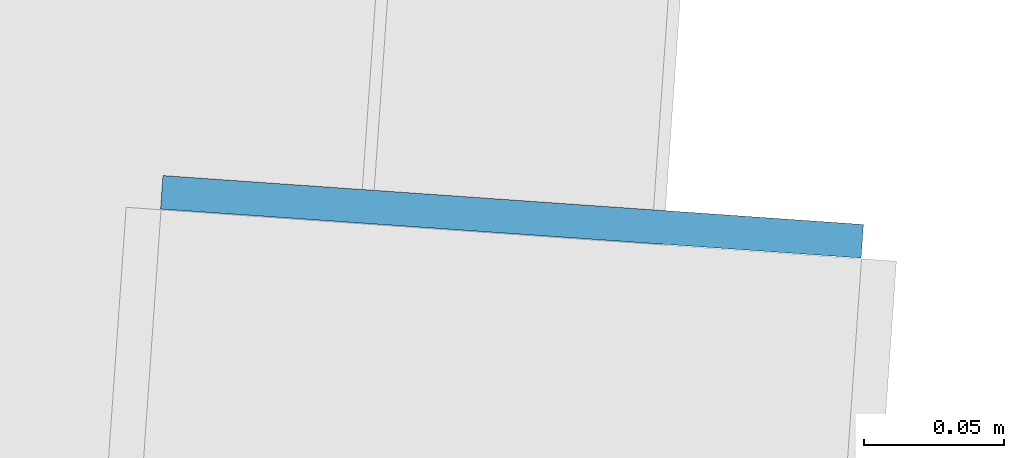
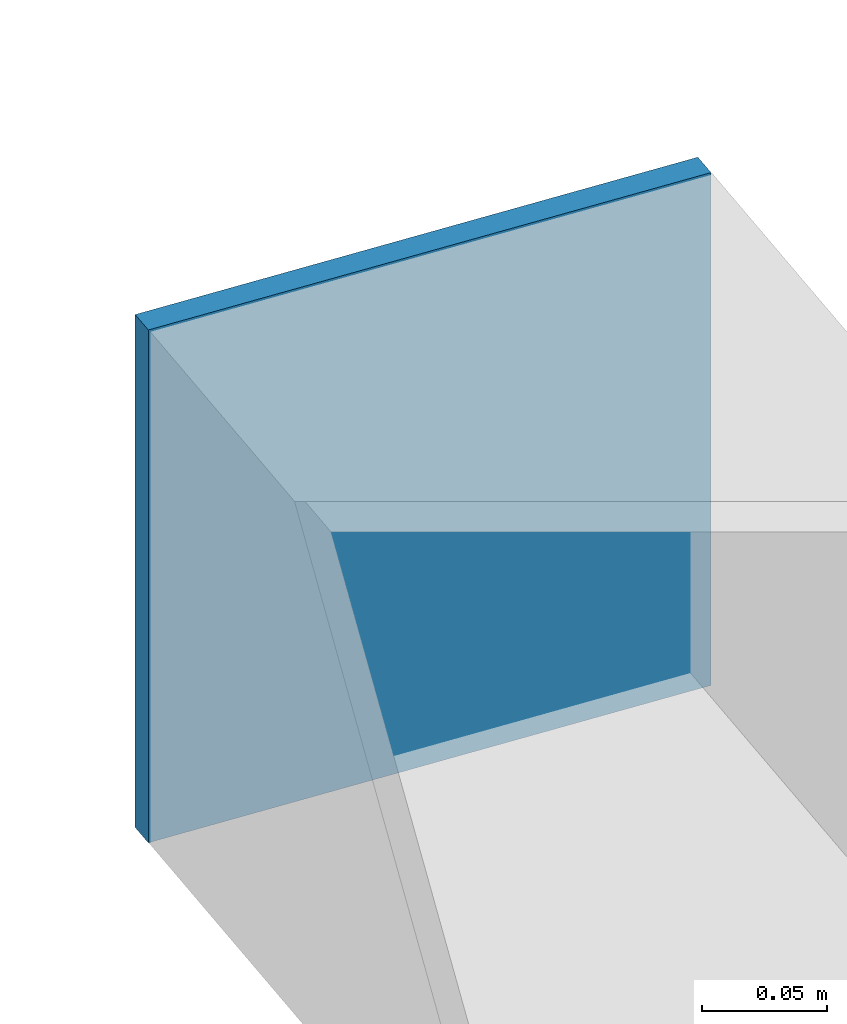
# One storey, part 40 of 47: 1 plate.
"""IFC4 building model written with IfcOpenShell, lengths in metres."""

from ifc_helpers import new_model, si_unit, direction, frame, origin, origin_2d, place, context, subcontext, project, spatial, rectangle, extrude, source, transform, mapped, material, layer, layer_set, type_object, element, save


model = new_model("IFC4")

# Units and contexts
model_context = context("Model", 3, precision=1e-05, world=origin(), true_north=direction((0.0, 1.0)))
body_context = subcontext(model_context, "Body", "Model", "MODEL_VIEW")
ifc_project = project(units=[si_unit("LENGTHUNIT", "METRE"), si_unit("AREAUNIT", "SQUARE_METRE"), si_unit("VOLUMEUNIT", "CUBIC_METRE"), si_unit("PLANEANGLEUNIT", "RADIAN"), si_unit("MASSUNIT", "GRAM", prefix="KILO")], contexts=[model_context])

# Site, building, storey
site_placement = place(None, origin())
site = spatial("IfcSite", under=ifc_project, at=site_placement, CompositionType="ELEMENT")
building_placement = place(site_placement, origin())
building = spatial("IfcBuilding", under=site, at=building_placement, Name="Taldren Reach Tower", CompositionType="ELEMENT")
storey_placement = place(building_placement, frame((0.0, 0.0, 139.300048828125)))
storey = spatial("IfcBuildingStorey", under=building, at=storey_placement, Name="L42", CompositionType="ELEMENT", Elevation=139.300048828125)

# Plate
ifc_material = material(Name="Steel Gr 350 (C350L0)", Category="steel")
ifc_layer = layer(ifc_material, 0.011962890625)
ifc_layer_set = layer_set([ifc_layer], Name="Steel Gr 350 (C350L0)")
plate_type = type_object("IfcPlateType", Name="PL-CAP-250", PredefinedType="SHEET", material=ifc_layer_set)
shared_shape = source(origin(), body_context, "Body", "SweptSolid", [
    extrude(rectangle(XDim=0.25, YDim=0.011962890625, at=origin_2d()), origin(), (0.0, 0.0, 1.0), 0.25),
])
plate_placement = place(storey_placement, frame((58.544921875, 36.413818359375, 0.094970703125), z_axis=(0.0, 0.0, 1.0), x_axis=(0.99756405026, -0.069756473744, 0.0)))
element("IfcPlate", 1, at=plate_placement, inside=storey, type_object=plate_type, Name="Tie strut end cap plate B3-N6 L42", PredefinedType="SHEET", context=body_context, shape_type="MappedRepresentation", body=[
    mapped(shared_shape, transform((0.0, 0.0, 0.0), scale=1.0)),
])

save(model, "model.ifc")
